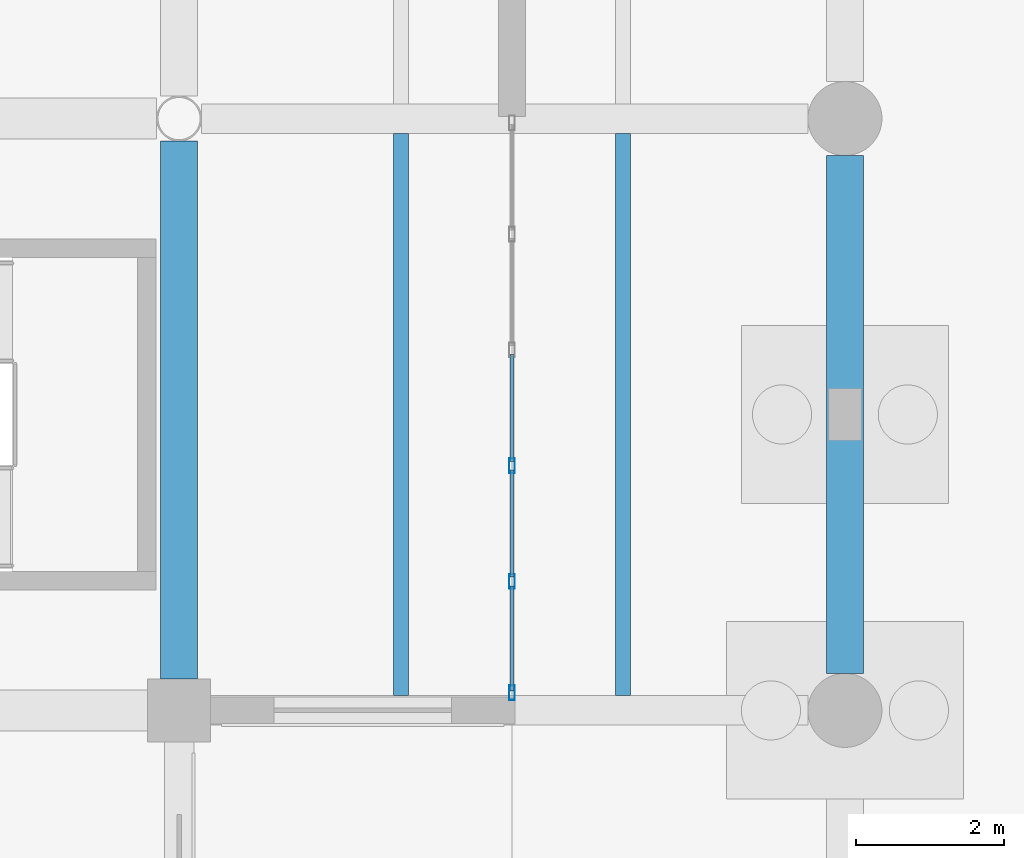
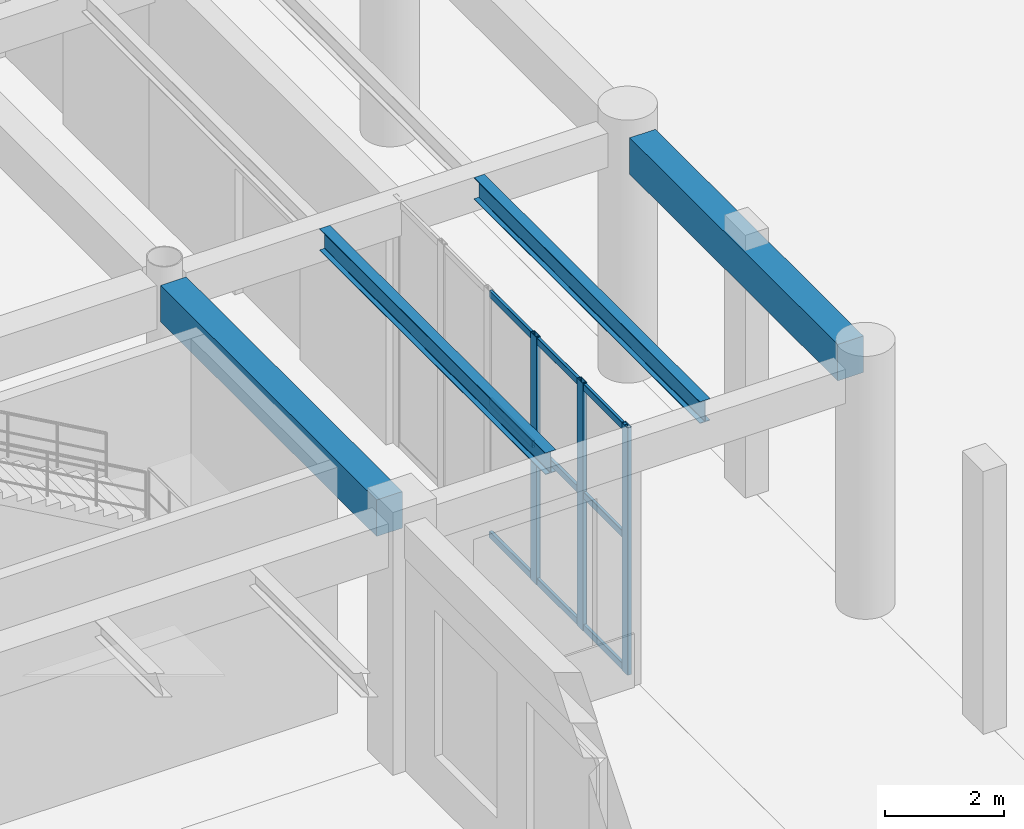
# One storey, part 22 of 121: 12 members, 4 beams, 1 element without a shape of its own.
"""IFC4 building model written with IfcOpenShell, lengths in metres."""

from ifc_helpers import new_model, si_unit, derived_unit, direction, frame, origin, origin_2d, place, context, subcontext, project, spatial, rectangle, hollow_rectangle, i_section, extrude, material, material_profile, profile_set, type_object, element, aggregate, save


model = new_model("IFC4")

# Units and contexts
model_context = context("Model", 3, precision=1e-05, world=origin(), true_north=direction((0.0, 1.0)))
body_context = subcontext(model_context, "Body", "Model", "MODEL_VIEW")
ifc_project = project(units=[si_unit("LENGTHUNIT", "METRE"), si_unit("AREAUNIT", "SQUARE_METRE"), si_unit("VOLUMEUNIT", "CUBIC_METRE"), si_unit("PLANEANGLEUNIT", "RADIAN"), si_unit("MASSUNIT", "GRAM", prefix="KILO"), derived_unit("THERMALTRANSMITTANCEUNIT", [(si_unit("MASSUNIT", "GRAM", prefix="KILO"), 1), (si_unit("TIMEUNIT", "SECOND"), -3), (si_unit("THERMODYNAMICTEMPERATUREUNIT", "KELVIN"), -1)])], contexts=[model_context])

# Site, building, storey
site_placement = place(None, origin())
site = spatial("IfcSite", under=ifc_project, at=site_placement, CompositionType="ELEMENT")
building_placement = place(site_placement, origin())
building = spatial("IfcBuilding", under=site, at=building_placement, Name="Zhenchuan Archway Interchange", CompositionType="ELEMENT")
storey_placement = place(building_placement, origin())
storey = spatial("IfcBuildingStorey", under=building, at=storey_placement, Name="L00", CompositionType="ELEMENT", Elevation=0.0)

# Beams
ifc_material_1 = material(Name="Concrete C40", Category="concrete")
ifc_material_profile_1 = material_profile(ifc_material_1, rectangle(XDim=0.5, YDim=0.75, at=origin_2d()), Name="RC 500x750")
ifc_profile_set_1 = profile_set([ifc_material_profile_1], Name="Concrete C40")
beam_type_1 = type_object("IfcBeamType", Name="BM_RC_500x750", PredefinedType="BEAM", material=ifc_profile_set_1)
beam_1_placement = place(storey_placement, frame((63.0, 24.425048828125, 4.705078125), z_axis=(0.0, 1.0, 0.0), x_axis=(-1.0, 0.0, 0.0)))
element("IfcBeam", 1, at=beam_1_placement, inside=storey, type_object=beam_type_1, Name="Beam 8:D-E (L00)", PredefinedType="BEAM", context=body_context, shape_type="SweptSolid", body=[
    extrude(rectangle(XDim=0.5, YDim=0.75, at=origin_2d()), origin(), (0.0, 0.0, 1.0), 7.27001953125),
])
beam_2_placement = place(storey_placement, frame((72.0, 24.5, 4.705078125), z_axis=(0.0, 1.0, 0.0), x_axis=(-1.0, 0.0, 0.0)))
element("IfcBeam", 2, at=beam_2_placement, inside=storey, type_object=beam_type_1, Name="Beam 9:D-E (L00)", PredefinedType="BEAM", context=body_context, shape_type="SweptSolid", body=[
    extrude(rectangle(XDim=0.5, YDim=0.75, at=origin_2d()), origin(), (0.0, 0.0, 1.0), 7.0),
])

# Curtain wall, members
ifc_material_2 = material(Name="Anodised Aluminium", Category="aluminium")
curtain_wall_type = type_object("IfcCurtainWallType", Name="CW_UNIT_1", PredefinedType="NOTDEFINED", material=ifc_material_2)
curtain_wall_placement = place(storey_placement, origin())
curtain_wall = element("IfcCurtainWall", 3, at=curtain_wall_placement, inside=storey, type_object=curtain_wall_type, Name="Unitised curtain wall CW:L00:008", PredefinedType="NOTDEFINED")
ifc_material_profile_2 = material_profile(ifc_material_2, hollow_rectangle(XDim=0.080078125, YDim=0.199951171875, WallThickness=0.00439453125, InnerFilletRadius=0.00439453125, OuterFilletRadius=0.009033203125, at=origin_2d()), Name="ALU 200x80x4.5")
ifc_profile_set_2 = profile_set([ifc_material_profile_2], Name="Anodised Aluminium")
member_type_1 = type_object("IfcMemberType", Name="CW_MUL_200", PredefinedType="MULLION", material=ifc_profile_set_2)
member_1_placement = place(storey_placement, frame((67.5, 27.30810546875, 0.0), z_axis=(0.0, 0.0, 1.0), x_axis=(1.0, 0.0, 0.0)))
member_1 = element("IfcMember", 4, at=member_1_placement, type_object=member_type_1, Name="CW:L00:008 mullion 3", PredefinedType="MULLION", context=body_context, shape_type="SweptSolid", body=[
    extrude(hollow_rectangle(XDim=0.080078125, YDim=0.199951171875, WallThickness=0.00439453125, InnerFilletRadius=0.00439453125, OuterFilletRadius=0.009033203125, at=origin_2d()), origin(), (0.0, 0.0, 1.0), 5.080078125),
])
member_2_placement = place(storey_placement, frame((67.5, 25.743896484375, 0.0), z_axis=(0.0, 0.0, 1.0), x_axis=(1.0, 0.0, 0.0)))
member_2 = element("IfcMember", 5, at=member_2_placement, type_object=member_type_1, Name="CW:L00:008 mullion 4", PredefinedType="MULLION", context=body_context, shape_type="SweptSolid", body=[
    extrude(hollow_rectangle(XDim=0.080078125, YDim=0.199951171875, WallThickness=0.00439453125, InnerFilletRadius=0.00439453125, OuterFilletRadius=0.009033203125, at=origin_2d()), origin(), (0.0, 0.0, 1.0), 5.080078125),
])
member_3_placement = place(storey_placement, frame((67.5, 24.239990234375, 0.0), z_axis=(0.0, 0.0, 1.0), x_axis=(1.0, 0.0, 0.0)))
member_3 = element("IfcMember", 6, at=member_3_placement, type_object=member_type_1, Name="CW:L00:008 mullion 5", PredefinedType="MULLION", context=body_context, shape_type="SweptSolid", body=[
    extrude(hollow_rectangle(XDim=0.080078125, YDim=0.199951171875, WallThickness=0.00439453125, InnerFilletRadius=0.00439453125, OuterFilletRadius=0.009033203125, at=origin_2d()), origin(), (0.0, 0.0, 1.0), 5.080078125),
])
ifc_material_profile_3 = material_profile(ifc_material_2, hollow_rectangle(XDim=0.06005859375, YDim=0.139892578125, WallThickness=0.00341796875, InnerFilletRadius=0.00341796875, OuterFilletRadius=0.007080078125, at=origin_2d()), Name="ALU 140x60x3.5")
ifc_profile_set_3 = profile_set([ifc_material_profile_3], Name="Anodised Aluminium")
member_type_2 = type_object("IfcMemberType", Name="CW_TRN_140", PredefinedType="USERDEFINED", material=ifc_profile_set_3)
member_4_placement = place(storey_placement, frame((67.5, 28.81201171875, 0.06005859375), z_axis=(0.0, -1.0, 0.0), x_axis=(1.0, 0.0, 0.0)))
member_4 = element("IfcMember", 7, at=member_4_placement, type_object=member_type_2, Name="CW:L00:008 transom 2-1", ObjectType="TRANSOM", PredefinedType="USERDEFINED", context=body_context, shape_type="SweptSolid", body=[
    extrude(hollow_rectangle(XDim=0.06005859375, YDim=0.139892578125, WallThickness=0.00341796875, InnerFilletRadius=0.00341796875, OuterFilletRadius=0.007080078125, at=origin_2d()), origin(), (0.0, 0.0, 1.0), 1.444091796875),
])
member_5_placement = place(storey_placement, frame((67.5, 28.81201171875, 2.782958984375), z_axis=(0.0, -1.0, 0.0), x_axis=(1.0, 0.0, 0.0)))
member_5 = element("IfcMember", 8, at=member_5_placement, type_object=member_type_2, Name="CW:L00:008 transom 2-2", ObjectType="TRANSOM", PredefinedType="USERDEFINED", context=body_context, shape_type="SweptSolid", body=[
    extrude(hollow_rectangle(XDim=0.06005859375, YDim=0.139892578125, WallThickness=0.00341796875, InnerFilletRadius=0.00341796875, OuterFilletRadius=0.007080078125, at=origin_2d()), origin(), (0.0, 0.0, 1.0), 1.444091796875),
])
member_6_placement = place(storey_placement, frame((67.5, 28.81201171875, 5.0), z_axis=(0.0, -1.0, 0.0), x_axis=(1.0, 0.0, 0.0)))
member_6 = element("IfcMember", 9, at=member_6_placement, type_object=member_type_2, Name="CW:L00:008 transom 2-3", ObjectType="TRANSOM", PredefinedType="USERDEFINED", context=body_context, shape_type="SweptSolid", body=[
    extrude(hollow_rectangle(XDim=0.06005859375, YDim=0.139892578125, WallThickness=0.00341796875, InnerFilletRadius=0.00341796875, OuterFilletRadius=0.007080078125, at=origin_2d()), origin(), (0.0, 0.0, 1.0), 1.444091796875),
])
member_7_placement = place(storey_placement, frame((67.5, 27.248046875, 0.06005859375), z_axis=(0.0, -1.0, 0.0), x_axis=(1.0, 0.0, 0.0)))
member_7 = element("IfcMember", 10, at=member_7_placement, type_object=member_type_2, Name="CW:L00:008 transom 3-1", ObjectType="TRANSOM", PredefinedType="USERDEFINED", context=body_context, shape_type="SweptSolid", body=[
    extrude(hollow_rectangle(XDim=0.06005859375, YDim=0.139892578125, WallThickness=0.00341796875, InnerFilletRadius=0.00341796875, OuterFilletRadius=0.007080078125, at=origin_2d()), origin(), (0.0, 0.0, 1.0), 1.444091796875),
])
member_8_placement = place(storey_placement, frame((67.5, 27.248046875, 2.782958984375), z_axis=(0.0, -1.0, 0.0), x_axis=(1.0, 0.0, 0.0)))
member_8 = element("IfcMember", 11, at=member_8_placement, type_object=member_type_2, Name="CW:L00:008 transom 3-2", ObjectType="TRANSOM", PredefinedType="USERDEFINED", context=body_context, shape_type="SweptSolid", body=[
    extrude(hollow_rectangle(XDim=0.06005859375, YDim=0.139892578125, WallThickness=0.00341796875, InnerFilletRadius=0.00341796875, OuterFilletRadius=0.007080078125, at=origin_2d()), origin(), (0.0, 0.0, 1.0), 1.444091796875),
])
member_9_placement = place(storey_placement, frame((67.5, 27.248046875, 5.0), z_axis=(0.0, -1.0, 0.0), x_axis=(1.0, 0.0, 0.0)))
member_9 = element("IfcMember", 12, at=member_9_placement, type_object=member_type_2, Name="CW:L00:008 transom 3-3", ObjectType="TRANSOM", PredefinedType="USERDEFINED", context=body_context, shape_type="SweptSolid", body=[
    extrude(hollow_rectangle(XDim=0.06005859375, YDim=0.139892578125, WallThickness=0.00341796875, InnerFilletRadius=0.00341796875, OuterFilletRadius=0.007080078125, at=origin_2d()), origin(), (0.0, 0.0, 1.0), 1.444091796875),
])
member_10_placement = place(storey_placement, frame((67.5, 25.68408203125, 0.06005859375), z_axis=(0.0, -1.0, 0.0), x_axis=(1.0, 0.0, 0.0)))
member_10 = element("IfcMember", 13, at=member_10_placement, type_object=member_type_2, Name="CW:L00:008 transom 4-1", ObjectType="TRANSOM", PredefinedType="USERDEFINED", context=body_context, shape_type="SweptSolid", body=[
    extrude(hollow_rectangle(XDim=0.06005859375, YDim=0.139892578125, WallThickness=0.00341796875, InnerFilletRadius=0.00341796875, OuterFilletRadius=0.007080078125, at=origin_2d()), origin(), (0.0, 0.0, 1.0), 1.424072265625),
])
member_11_placement = place(storey_placement, frame((67.5, 25.68408203125, 2.782958984375), z_axis=(0.0, -1.0, 0.0), x_axis=(1.0, 0.0, 0.0)))
member_11 = element("IfcMember", 14, at=member_11_placement, type_object=member_type_2, Name="CW:L00:008 transom 4-2", ObjectType="TRANSOM", PredefinedType="USERDEFINED", context=body_context, shape_type="SweptSolid", body=[
    extrude(hollow_rectangle(XDim=0.06005859375, YDim=0.139892578125, WallThickness=0.00341796875, InnerFilletRadius=0.00341796875, OuterFilletRadius=0.007080078125, at=origin_2d()), origin(), (0.0, 0.0, 1.0), 1.424072265625),
])
member_12_placement = place(storey_placement, frame((67.5, 25.68408203125, 5.0), z_axis=(0.0, -1.0, 0.0), x_axis=(1.0, 0.0, 0.0)))
member_12 = element("IfcMember", 15, at=member_12_placement, type_object=member_type_2, Name="CW:L00:008 transom 4-3", ObjectType="TRANSOM", PredefinedType="USERDEFINED", context=body_context, shape_type="SweptSolid", body=[
    extrude(hollow_rectangle(XDim=0.06005859375, YDim=0.139892578125, WallThickness=0.00341796875, InnerFilletRadius=0.00341796875, OuterFilletRadius=0.007080078125, at=origin_2d()), origin(), (0.0, 0.0, 1.0), 1.424072265625),
])
aggregate(curtain_wall, [member_1, member_2, member_3, member_4, member_5, member_6, member_7, member_8, member_9, member_10, member_11, member_12])

# Beams
ifc_material_3 = material(Name="Steel Q355", Category="steel")
ifc_material_profile_4 = material_profile(ifc_material_3, i_section(OverallWidth=0.199951171875, OverallDepth=0.449951171875, WebThickness=0.009033203125, FlangeThickness=0.013916015625, FilletRadius=0.01806640625, at=origin_2d()), Name="HN 450x200")
ifc_profile_set_4 = profile_set([ifc_material_profile_4], Name="Steel Q355")
beam_type_2 = type_object("IfcBeamType", Name="JST_STL_HN450", PredefinedType="JOIST", material=ifc_profile_set_4)
for number, where, z_axis, x_axis, name in (
    (16, (66.0, 24.199951171875, 4.85498046875), (0.0, 1.0, 0.0), (-1.0, 0.0, 0.0), "Secondary joist 8-9/D-E #1 (L00)"),
    (17, (69.0, 24.199951171875, 4.85498046875), (0.0, 1.0, 0.0), (-1.0, 0.0, 0.0), "Secondary joist 8-9/D-E #2 (L00)"),
):
    element("IfcBeam", number, at=place(storey_placement, frame(where, z_axis=z_axis, x_axis=x_axis)), inside=storey, type_object=beam_type_2, Name=name, PredefinedType="JOIST", context=body_context, shape_type="SweptSolid", body=[
        extrude(i_section(OverallWidth=0.199951171875, OverallDepth=0.449951171875, WebThickness=0.009033203125, FlangeThickness=0.013916015625, FilletRadius=0.01806640625, at=origin_2d()), origin(), (0.0, 0.0, 1.0), 7.60009765625),
    ])

save(model, "model.ifc")
